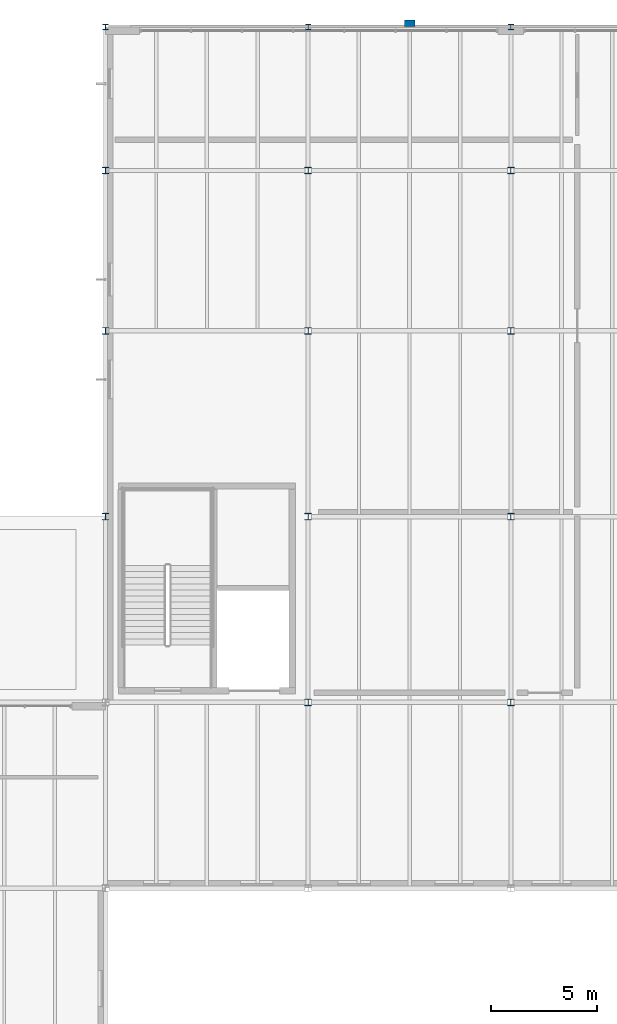
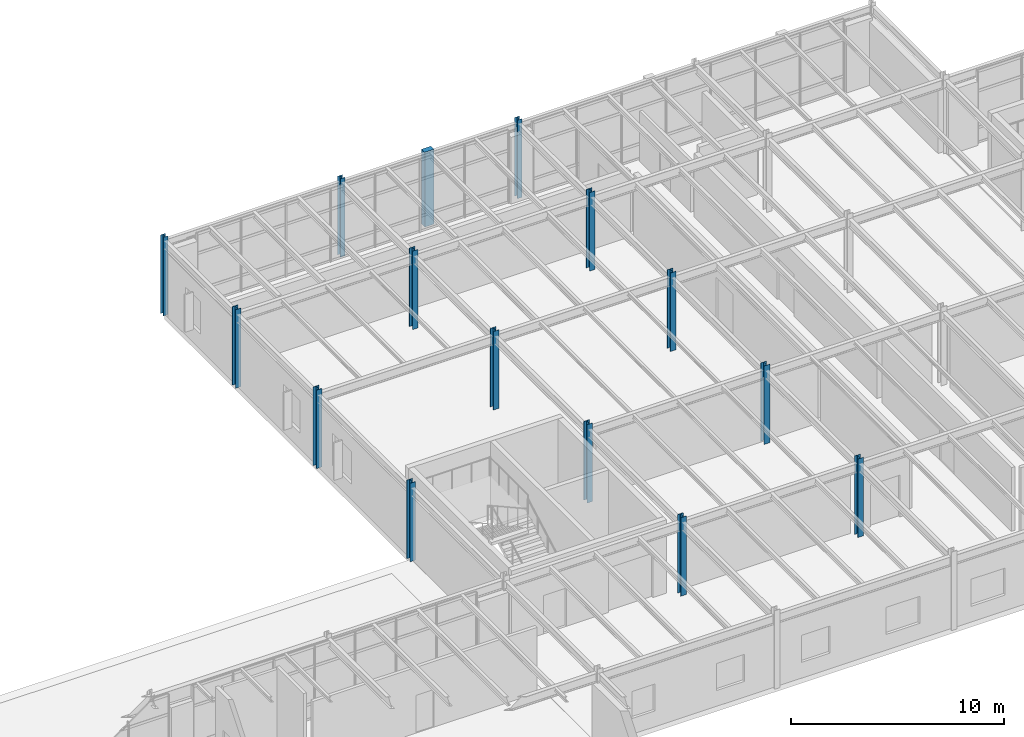
# One storey, part 9 of 69: 15 columns.
"""IFC4 building model written with IfcOpenShell, lengths in metres."""

import ifcopenshell
import ifcopenshell.guid

model = None  # the IFC model being written
_history = None  # IfcOwnerHistory: only IFC2X3 demands one
_inside = {}  # id of a spatial element -> (the spatial element, [elements in it])
_under = {}  # id of a project, library or spatial element -> (it, [spatial elements below it])
_declared = {}  # id of a project -> (the project, [libraries it declares])
_typed = {}  # id of a type object -> (the type object, [elements of that type])
_made_of = {}  # id of a material, layer set ... -> (it, [elements and type objects made of it])


def new_model(schema):
    """Start an empty IFC model of exactly this schema.

    Asked for "IFC4X3", IfcOpenShell would pick the latest addendum, in which some entities
    have other attributes; the version numbers below select the first issue.
    IFC2X3 requires an IfcOwnerHistory on every rooted entity: one is made here for all.
    """
    global model, _history
    if schema == "IFC4X3":
        model = ifcopenshell.file(schema_version=(4, 3, 0, 0))
    else:
        model = ifcopenshell.file(schema=schema)
    _inside.clear()
    _under.clear()
    _declared.clear()
    _typed.clear()
    _made_of.clear()
    _history = None
    if model.schema == "IFC2X3":
        org = make("IfcOrganization", Name="unknown")
        user = make(
            "IfcPersonAndOrganization",
            ThePerson=make("IfcPerson", FamilyName="unknown"),
            TheOrganization=org,
        )
        app = make(
            "IfcApplication",
            ApplicationDeveloper=org,
            Version="unknown",
            ApplicationFullName="unknown",
            ApplicationIdentifier="unknown",
        )
        _history = make(
            "IfcOwnerHistory",
            OwningUser=user,
            OwningApplication=app,
            ChangeAction="ADDED",
            CreationDate=0,
        )
    return model


def make(cls, **values):
    """One entity of the class cls with the attributes given. An attribute that is None is left unset."""
    return model.create_entity(
        cls, **{name: value for name, value in values.items() if value is not None}
    )


def rooted(cls, **values):
    """An entity with a GlobalId (a new one), such as an element, a storey or a relation."""
    return make(cls, GlobalId=ifcopenshell.guid.new(), OwnerHistory=_history, **values)


def si_unit(unit_type, name, prefix=None):
    """IfcSIUnit, for example si_unit("LENGTHUNIT", "METRE", prefix="MILLI")."""
    return make("IfcSIUnit", UnitType=unit_type, Prefix=prefix, Name=name)


def assignment(units):
    """IfcUnitAssignment: the units of a project."""
    return None if units is None else make("IfcUnitAssignment", Units=units)


def point(xyz):
    """IfcCartesianPoint."""
    return None if xyz is None else make("IfcCartesianPoint", Coordinates=xyz)


def direction(xyz):
    """IfcDirection."""
    return None if xyz is None else make("IfcDirection", DirectionRatios=xyz)


def frame(location, z_axis=None, x_axis=None):
    """IfcAxis2Placement3D, a coordinate frame: its origin and axes. An axis left out is left unset."""
    return make(
        "IfcAxis2Placement3D",
        Location=point(location),
        Axis=direction(z_axis),
        RefDirection=direction(x_axis),
    )


def frame_2d(location, x_axis=None):
    """IfcAxis2Placement2D, a coordinate frame in the plane: its origin and x axis."""
    return make(
        "IfcAxis2Placement2D", Location=point(location), RefDirection=direction(x_axis)
    )


def origin():
    """The frame at (0, 0, 0) with its axes left unset."""
    return frame((0.0, 0.0, 0.0))


def origin_2d():
    """The frame at (0, 0) in the plane with its x axis left unset."""
    return frame_2d((0.0, 0.0))


def place(relative_to, where):
    """IfcLocalPlacement: puts the frame where relative to a parent placement (None: the world)."""
    return make(
        "IfcLocalPlacement", PlacementRelTo=relative_to, RelativePlacement=where
    )


def context(
    kind, dimensions, precision=None, world=None, true_north=None, identifier=None
):
    """IfcGeometricRepresentationContext, for example the 3D "Model" context."""
    return make(
        "IfcGeometricRepresentationContext",
        ContextIdentifier=identifier,
        ContextType=kind,
        CoordinateSpaceDimension=dimensions,
        Precision=precision,
        WorldCoordinateSystem=world,
        TrueNorth=true_north,
    )


def subcontext(parent, identifier, kind, view, scale=None):
    """IfcGeometricRepresentationSubContext, for example "Body" below "Model"."""
    return make(
        "IfcGeometricRepresentationSubContext",
        ContextIdentifier=identifier,
        ContextType=kind,
        ParentContext=parent,
        TargetScale=scale,
        TargetView=view,
    )


def project(units=None, contexts=None):
    """IfcProject with its units and contexts."""
    return rooted(
        "IfcProject",
        Name="project",
        RepresentationContexts=contexts,
        UnitsInContext=assignment(units),
    )


def spatial(cls, under=None, at=None, **own):
    """A site, building, storey or space (cls), placed at a placement, below another one or the project."""
    s = rooted(cls, ObjectPlacement=at, **own)
    if under is not None:
        _under.setdefault(under.id(), (under, []))[1].append(s)
    return s


def profile(cls, at=None, kind="AREA", **sizes):
    """A parametric profile (cls). Its sizes go by their IFC names, for example OverallWidth=200.0."""
    return make(cls, ProfileType=kind, Position=at, **sizes)


def rectangle(**sizes):
    """IfcRectangleProfileDef."""
    return profile("IfcRectangleProfileDef", **sizes)


def i_section(**sizes):
    """IfcIShapeProfileDef."""
    return profile("IfcIShapeProfileDef", **sizes)


def extrude(swept, where, along, depth):
    """IfcExtrudedAreaSolid: the profile swept, set in the frame where, extruded along a direction by depth."""
    return make(
        "IfcExtrudedAreaSolid",
        SweptArea=swept,
        Position=where,
        ExtrudedDirection=direction(along),
        Depth=depth,
    )


def shape(context_of_items, identifier, shape_type, items):
    """IfcShapeRepresentation: the items that make up one representation, for example the "Body"."""
    return make(
        "IfcShapeRepresentation",
        ContextOfItems=context_of_items,
        RepresentationIdentifier=identifier,
        RepresentationType=shape_type,
        Items=items,
    )


def material(Name=None, Category=None):
    """IfcMaterial."""
    return make("IfcMaterial", Name=Name, Category=Category)


def material_profile(
    of_material, cross_section, Name=None, Category=None, Priority=None
):
    """IfcMaterialProfile: a cross section and its material."""
    return make(
        "IfcMaterialProfile",
        Name=Name,
        Material=of_material,
        Profile=cross_section,
        Priority=Priority,
        Category=Category,
    )


def profile_set(profiles, Name=None, composite=None):
    """IfcMaterialProfileSet."""
    return make(
        "IfcMaterialProfileSet",
        Name=Name,
        MaterialProfiles=profiles,
        CompositeProfile=composite,
    )


def made_of(thing, what):
    """Note that an element or type object is made of a material, layer set ...; save() writes the relation."""
    if what is not None:
        _made_of.setdefault(what.id(), (what, []))[1].append(thing)
    return thing


def type_object(cls, material=None, **own):
    """A type object (cls), such as IfcWallType, which elements share."""
    return made_of(rooted(cls, **own), material)


def element(
    cls,
    number,
    at=None,
    inside=None,
    cuts=None,
    type_object=None,
    material=None,
    context=None,
    identifier="Body",
    shape_type=None,
    held_by="IfcProductDefinitionShape",
    body=None,
    shapes=None,
    **own,
):
    """One element of the class cls, such as IfcWall. Its Tag is "e" and its number.

    at: its placement. inside: the storey or other place that contains it. cuts: it is an
    opening in that element (IfcRelVoidsElement). A single representation is given by context,
    identifier, shape_type and body (its items); several are given by shapes. held_by: the class
    of the entity that holds the representations. save() writes the other relations.
    """
    e = rooted(cls, Tag="e%d" % number, ObjectPlacement=at, **own)
    if body is not None:
        shapes = [shape(context, identifier, shape_type, body)]
    if shapes is not None:
        e.Representation = make(held_by, Representations=shapes)
    if inside is not None:
        _inside.setdefault(inside.id(), (inside, []))[1].append(e)
    if cuts is not None:
        rooted(
            "IfcRelVoidsElement", RelatingBuildingElement=cuts, RelatedOpeningElement=e
        )
    if type_object is not None:
        _typed.setdefault(type_object.id(), (type_object, []))[1].append(e)
    return made_of(e, material)


def aggregate(whole, parts):
    """IfcRelAggregates: a whole, such as a stair, and the parts it consists of."""
    return rooted("IfcRelAggregates", RelatingObject=whole, RelatedObjects=parts)


def save(model, path):
    """Write the relations noted so far, then the file.

    IfcRelAggregates (storeys below a building ...), IfcRelContainedInSpatialStructure (elements
    in a storey), IfcRelDefinesByType, IfcRelAssociatesMaterial and IfcRelDeclares: one each for
    every whole, place, type object, material and project.
    """
    for whole, parts in _under.values():
        aggregate(whole, parts)
    for where, things in _inside.values():
        rooted(
            "IfcRelContainedInSpatialStructure",
            RelatedElements=things,
            RelatingStructure=where,
        )
    for kind, things in _typed.values():
        rooted("IfcRelDefinesByType", RelatedObjects=things, RelatingType=kind)
    for what, things in _made_of.values():
        rooted("IfcRelAssociatesMaterial", RelatedObjects=things, RelatingMaterial=what)
    for by, libraries in _declared.values():
        rooted("IfcRelDeclares", RelatingContext=by, RelatedDefinitions=libraries)
    model.write(path)


model = new_model("IFC4")

# Units and contexts
model_context = context("Model", 3, precision=1e-05, world=origin(), true_north=direction((0.0, 1.0)))
body_context = subcontext(model_context, "Body", "Model", "MODEL_VIEW")
ifc_project = project(units=[si_unit("LENGTHUNIT", "METRE"), si_unit("AREAUNIT", "SQUARE_METRE"), si_unit("VOLUMEUNIT", "CUBIC_METRE"), si_unit("PLANEANGLEUNIT", "RADIAN"), si_unit("MASSUNIT", "GRAM", prefix="KILO")], contexts=[model_context])

# Site, building, storey
site_placement = place(None, origin())
site = spatial("IfcSite", under=ifc_project, at=site_placement, CompositionType="ELEMENT")
building_placement = place(site_placement, origin())
building = spatial("IfcBuilding", under=site, at=building_placement, Name="Sarnbrook Museum", CompositionType="ELEMENT")
storey_placement = place(building_placement, frame((0.0, 0.0, 14.60009765625)))
storey = spatial("IfcBuildingStorey", under=building, at=storey_placement, Name="L03", CompositionType="ELEMENT", Elevation=14.60009765625)

# Columns
ifc_material_1 = material(Name="Structural Steel Grade 300PLUS (AS/NZS 3679.1, fy = 280 MPa for 17 < t <= 40 mm, 300 MPa for t <= 17 mm)", Category="steel")
ifc_material_profile_1 = material_profile(ifc_material_1, i_section(OverallWidth=0.25390625, OverallDepth=0.25390625, WebThickness=0.008544921875, FlangeThickness=0.01416015625, FilletRadius=0.0126953125, at=origin_2d()), Name="250UC72.9")
ifc_profile_set_1 = profile_set([ifc_material_profile_1], Name="Structural Steel Grade 300PLUS (AS/NZS 3679.1, fy = 280 MPa for 17 < t <= 40 mm, 300 MPa for t <= 17 mm)")
column_type_1 = type_object("IfcColumnType", Name="COL-UC250", PredefinedType="COLUMN", material=ifc_profile_set_1)
for number, where, z_axis, x_axis, name in (
    (1, (42.39990234375, 115.199951171875, 0.0), (0.0, 0.0, 1.0), (1.0, 0.0, 0.0), "Column 5-P L03"),
    (2, (52.0, 115.199951171875, 0.0), (0.0, 0.0, 1.0), (1.0, 0.0, 0.0), "Column 6-P L03"),
    (3, (61.60009765625, 115.199951171875, 0.0), (0.0, 0.0, 1.0), (1.0, 0.0, 0.0), "Column 7-P L03"),
):
    element("IfcColumn", number, at=place(storey_placement, frame(where, z_axis=z_axis, x_axis=x_axis)), inside=storey, type_object=column_type_1, Name=name, PredefinedType="COLUMN", context=body_context, shape_type="SweptSolid", body=[
        extrude(i_section(OverallWidth=0.25390625, OverallDepth=0.25390625, WebThickness=0.008544921875, FlangeThickness=0.01416015625, FilletRadius=0.0126953125, at=origin_2d()), origin(), (0.0, 0.0, 1.0), 4.5),
    ])
ifc_material_profile_2 = material_profile(ifc_material_1, i_section(OverallWidth=0.306884765625, OverallDepth=0.31494140625, WebThickness=0.011962890625, FlangeThickness=0.018798828125, FilletRadius=0.0166015625, at=origin_2d()), Name="310UC118")
ifc_profile_set_2 = profile_set([ifc_material_profile_2], Name="Structural Steel Grade 300PLUS (AS/NZS 3679.1, fy = 280 MPa for 17 < t <= 40 mm, 300 MPa for t <= 17 mm)")
column_type_2 = type_object("IfcColumnType", Name="COL-UC310", PredefinedType="COLUMN", material=ifc_profile_set_2)
for number, where, z_axis, x_axis, name in (
    (4, (42.39990234375, 92.0, 0.0), (0.0, 0.0, 1.0), (1.0, 0.0, 0.0), "Column 5-L L03"),
    (5, (42.39990234375, 100.800048828125, 0.0), (0.0, 0.0, 1.0), (1.0, 0.0, 0.0), "Column 5-M L03"),
    (6, (42.39990234375, 108.39990234375, 0.0), (0.0, 0.0, 1.0), (1.0, 0.0, 0.0), "Column 5-N L03"),
    (7, (52.0, 83.199951171875, 0.0), (0.0, 0.0, 1.0), (1.0, 0.0, 0.0), "Column 6-K L03"),
    (8, (52.0, 92.0, 0.0), (0.0, 0.0, 1.0), (1.0, 0.0, 0.0), "Column 6-L L03"),
    (9, (52.0, 100.800048828125, 0.0), (0.0, 0.0, 1.0), (1.0, 0.0, 0.0), "Column 6-M L03"),
    (10, (52.0, 108.39990234375, 0.0), (0.0, 0.0, 1.0), (1.0, 0.0, 0.0), "Column 6-N L03"),
    (11, (61.60009765625, 83.199951171875, 0.0), (0.0, 0.0, 1.0), (1.0, 0.0, 0.0), "Column 7-K L03"),
    (12, (61.60009765625, 92.0, 0.0), (0.0, 0.0, 1.0), (1.0, 0.0, 0.0), "Column 7-L L03"),
    (13, (61.60009765625, 100.800048828125, 0.0), (0.0, 0.0, 1.0), (1.0, 0.0, 0.0), "Column 7-M L03"),
    (14, (61.60009765625, 108.39990234375, 0.0), (0.0, 0.0, 1.0), (1.0, 0.0, 0.0), "Column 7-N L03"),
):
    element("IfcColumn", number, at=place(storey_placement, frame(where, z_axis=z_axis, x_axis=x_axis)), inside=storey, type_object=column_type_2, Name=name, PredefinedType="COLUMN", context=body_context, shape_type="SweptSolid", body=[
        extrude(i_section(OverallWidth=0.306884765625, OverallDepth=0.31494140625, WebThickness=0.011962890625, FlangeThickness=0.018798828125, FilletRadius=0.0166015625, at=origin_2d()), origin(), (0.0, 0.0, 1.0), 4.5),
    ])
ifc_material_2 = material(Name="Concrete N40 (AS 3600, f'c = 40 MPa)", Category="concrete")
ifc_material_profile_3 = material_profile(ifc_material_2, rectangle(XDim=0.5, YDim=0.300048828125, at=origin_2d()), Name="PILASTER 500x300")
ifc_profile_set_3 = profile_set([ifc_material_profile_3], Name="Concrete N40 (AS 3600, f'c = 40 MPa)")
column_type_3 = type_object("IfcColumnType", Name="PIL-500x300", PredefinedType="PILASTER", material=ifc_profile_set_3)
column_placement = place(storey_placement, frame((56.800048828125, 115.3798828125, 0.0), z_axis=(0.0, 0.0, 1.0), x_axis=(1.0, 0.0, 0.0)))
element("IfcColumn", 15, at=column_placement, inside=storey, type_object=column_type_3, Name="Sandstone Classical Pilaster P-N1 L03", PredefinedType="PILASTER", context=body_context, shape_type="SweptSolid", body=[
    extrude(rectangle(XDim=0.5, YDim=0.300048828125, at=origin_2d()), origin(), (0.0, 0.0, 1.0), 4.289794921875),
])

save(model, "model.ifc")
